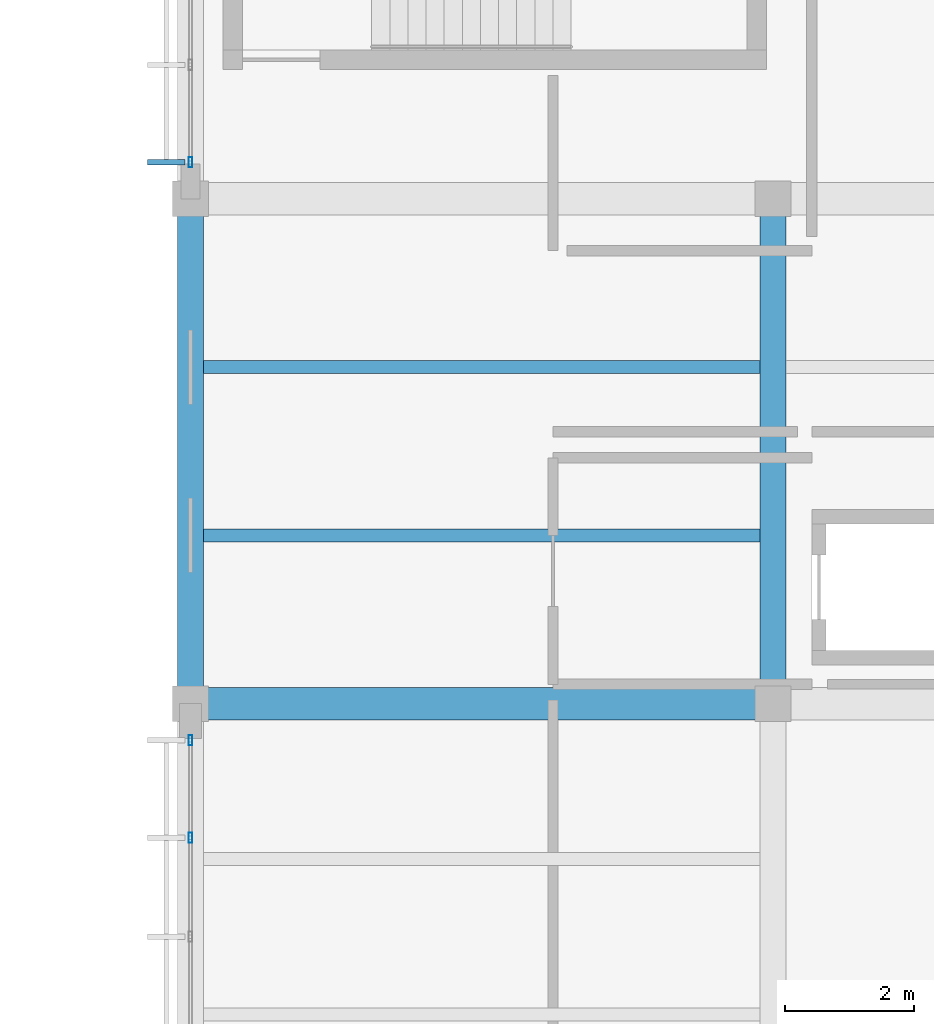
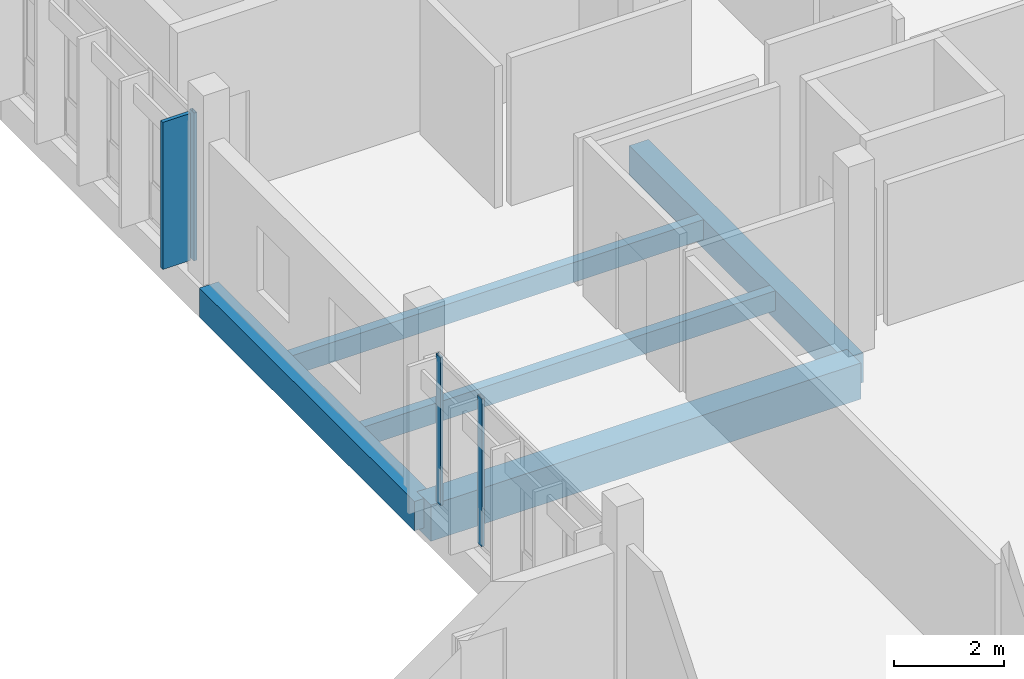
# One storey, part 56 of 94: 5 beams, 4 members, 2 elements without a shape of their own.
"""IFC4 building model written with IfcOpenShell, lengths in metres."""

from ifc_helpers import new_model, si_unit, direction, frame, origin, origin_2d, place, context, subcontext, project, spatial, rectangle, hollow_rectangle, extrude, material, material_profile, profile_set, type_object, element, aggregate, save


model = new_model("IFC4")

# Units and contexts
model_context = context("Model", 3, precision=1e-05, world=origin(), true_north=direction((0.0, 1.0)))
body_context = subcontext(model_context, "Body", "Model", "MODEL_VIEW")
ifc_project = project(units=[si_unit("LENGTHUNIT", "METRE"), si_unit("AREAUNIT", "SQUARE_METRE"), si_unit("VOLUMEUNIT", "CUBIC_METRE"), si_unit("PLANEANGLEUNIT", "RADIAN"), si_unit("MASSUNIT", "GRAM", prefix="KILO")], contexts=[model_context])

# Site, building, storey
site_placement = place(None, origin())
site = spatial("IfcSite", under=ifc_project, at=site_placement, CompositionType="ELEMENT")
building_placement = place(site_placement, origin())
building = spatial("IfcBuilding", under=site, at=building_placement, Name="Chiffa Square Polytechnic", CompositionType="ELEMENT")
storey_placement = place(building_placement, frame((0.0, 0.0, 18.0)))
storey = spatial("IfcBuildingStorey", under=building, at=storey_placement, Name="L04", CompositionType="ELEMENT", Elevation=18.0)

# Beams
ifc_material_1 = material(Name="Concrete C35/45", Category="concrete")
ifc_material_profile_1 = material_profile(ifc_material_1, rectangle(XDim=0.39990234375, YDim=0.64990234375, at=origin_2d()), Name="RC 400x650")
ifc_profile_set_1 = profile_set([ifc_material_profile_1], Name="Concrete C35/45")
beam_type_1 = type_object("IfcBeamType", Name="BM-RC-400X650", PredefinedType="BEAM", material=ifc_profile_set_1)
for number, where, z_axis, x_axis, name in (
    (1, (148.199951171875, 36.0, -0.56494140625), (0.0, 1.0, 0.0), (-1.0, 0.0, 0.0), "Primary floor girder BM-V1-L04-Y-1482-0360"),
    (2, (157.199951171875, 36.0, -0.56494140625), (0.0, 1.0, 0.0), (-1.0, 0.0, 0.0), "Primary floor girder BM-V1-L04-Y-1572-0360"),
):
    element("IfcBeam", number, at=place(storey_placement, frame(where, z_axis=z_axis, x_axis=x_axis)), inside=storey, type_object=beam_type_1, Name=name, PredefinedType="BEAM", context=body_context, shape_type="SweptSolid", body=[
        extrude(rectangle(XDim=0.39990234375, YDim=0.64990234375, at=origin_2d()), origin(), (0.0, 0.0, 1.0), 7.800048828125),
    ])
ifc_material_2 = material(Name="Concrete C40/50", Category="concrete")
ifc_material_profile_2 = material_profile(ifc_material_2, rectangle(XDim=0.5, YDim=0.800048828125, at=origin_2d()), Name="RC 500x800")
ifc_profile_set_2 = profile_set([ifc_material_profile_2], Name="Concrete C40/50")
beam_type_2 = type_object("IfcBeamType", Name="BM-RC-500X800", PredefinedType="BEAM", material=ifc_profile_set_2)
beam_placement = place(storey_placement, frame((148.199951171875, 36.0, -0.639892578125), z_axis=(1.0, 0.0, 0.0), x_axis=(0.0, 1.0, 0.0)))
element("IfcBeam", 3, at=beam_placement, inside=storey, type_object=beam_type_2, Name="Primary floor girder BM-V1-L04-X-1482-0360", PredefinedType="BEAM", context=body_context, shape_type="SweptSolid", body=[
    extrude(rectangle(XDim=0.5, YDim=0.800048828125, at=origin_2d()), origin(), (0.0, 0.0, 1.0), 9.0),
])

# Curtain wall, member
ifc_material_3 = material(Name="Aluminium EN AW-6060 T66 and glulam shading", Category="wood")
curtain_wall_type_1 = type_object("IfcCurtainWallType", Name="CW-VERT-450X440", PredefinedType="USERDEFINED", material=ifc_material_3)
curtain_wall_1_placement = place(storey_placement, origin())
curtain_wall_1 = element("IfcCurtainWall", 4, at=curtain_wall_1_placement, inside=storey, type_object=curtain_wall_type_1, Name="Curtain wall CW-V1-L04-136", ObjectType="CURTAIN WALL", PredefinedType="USERDEFINED")
ifc_material_4 = material(Name="Aluminium EN AW-6060 T66", Category="aluminium")
ifc_material_profile_3 = material_profile(ifc_material_4, hollow_rectangle(XDim=0.06005859375, YDim=0.159912109375, WallThickness=0.00390625, at=origin_2d()), Name="ALU 60x160x4")
ifc_profile_set_3 = profile_set([ifc_material_profile_3], Name="Aluminium EN AW-6060 T66")
member_type_1 = type_object("IfcMemberType", Name="CWM-ALU-65X150", PredefinedType="MULLION", material=ifc_profile_set_3)
member_1_placement = place(storey_placement, frame((148.199951171875, 44.364990234375, 0.0), z_axis=(0.0, 0.0, 1.0), x_axis=(1.0, 0.0, 0.0)))
member_1 = element("IfcMember", 5, at=member_1_placement, type_object=member_type_1, Name="Curtain wall mullion CW-V1-L04-136-M04", PredefinedType="MULLION", context=body_context, shape_type="SweptSolid", body=[
    extrude(hollow_rectangle(XDim=0.06005859375, YDim=0.159912109375, WallThickness=0.00390625, at=origin_2d()), origin(), (0.0, 0.0, 1.0), 3.27490234375),
])

# Curtain wall, members
curtain_wall_type_2 = type_object("IfcCurtainWallType", Name="CW-VERT-600X440", PredefinedType="USERDEFINED", material=ifc_material_3)
curtain_wall_2_placement = place(storey_placement, origin())
curtain_wall_2 = element("IfcCurtainWall", 6, at=curtain_wall_2_placement, inside=storey, type_object=curtain_wall_type_2, Name="Curtain wall CW-V1-L04-137", ObjectType="CURTAIN WALL", PredefinedType="USERDEFINED")
member_2_placement = place(storey_placement, frame((148.199951171875, 35.43505859375, 0.0), z_axis=(0.0, 0.0, 1.0), x_axis=(1.0, 0.0, 0.0)))
member_2 = element("IfcMember", 7, at=member_2_placement, type_object=member_type_1, Name="Curtain wall mullion CW-V1-L04-137-M00", PredefinedType="MULLION", context=body_context, shape_type="SweptSolid", body=[
    extrude(hollow_rectangle(XDim=0.06005859375, YDim=0.159912109375, WallThickness=0.00390625, at=origin_2d()), origin(), (0.0, 0.0, 1.0), 3.27490234375),
])
member_3_placement = place(storey_placement, frame((148.199951171875, 33.929931640625, 0.0), z_axis=(0.0, 0.0, 1.0), x_axis=(1.0, 0.0, 0.0)))
member_3 = element("IfcMember", 8, at=member_3_placement, type_object=member_type_1, Name="Curtain wall mullion CW-V1-L04-137-M01", PredefinedType="MULLION", context=body_context, shape_type="SweptSolid", body=[
    extrude(hollow_rectangle(XDim=0.06005859375, YDim=0.159912109375, WallThickness=0.00390625, at=origin_2d()), origin(), (0.0, 0.0, 1.0), 3.27490234375),
])
aggregate(curtain_wall_2, [member_2, member_3])

# Member
ifc_material_5 = material(Name="Glulam GL28h", Category="wood")
ifc_material_profile_4 = material_profile(ifc_material_5, rectangle(XDim=0.080078125, YDim=0.580078125, at=origin_2d()), Name="GL28h 80x580")
ifc_profile_set_4 = profile_set([ifc_material_profile_4], Name="Glulam GL28h")
member_type_2 = type_object("IfcMemberType", Name="CWM-GL-80X580", PredefinedType="MULLION", material=ifc_profile_set_4)
member_4_placement = place(storey_placement, frame((147.827880859375, 44.364990234375, 0.010009765625), z_axis=(0.0, 0.0, 1.0), x_axis=(0.0, -1.0, 0.0)))
member_4 = element("IfcMember", 9, at=member_4_placement, type_object=member_type_2, Name="Exterior glulam solar fin CW-V1-L04-136-FN04", PredefinedType="MULLION", context=body_context, shape_type="SweptSolid", body=[
    extrude(rectangle(XDim=0.080078125, YDim=0.580078125, at=origin_2d()), origin(), (0.0, 0.0, 1.0), 3.2548828125),
])

aggregate(curtain_wall_1, [member_1, member_4])

# Beams
ifc_material_profile_5 = material_profile(ifc_material_5, rectangle(XDim=0.199951171875, YDim=0.43994140625, at=origin_2d()), Name="GL28h 200x440")
ifc_profile_set_5 = profile_set([ifc_material_profile_5], Name="Glulam GL28h")
beam_type_3 = type_object("IfcBeamType", Name="JST-GL-200X440", PredefinedType="JOIST", material=ifc_profile_set_5)
for number, where, z_axis, x_axis, name in (
    (10, (148.39794921875, 38.60009765625, -0.4599609375), (1.0, 0.0, 0.0), (0.0, 1.0, 0.0), "Secondary floor joist JST-V1-L04-1482-0386"),
    (11, (148.39794921875, 41.199951171875, -0.4599609375), (1.0, 0.0, 0.0), (0.0, 1.0, 0.0), "Secondary floor joist JST-V1-L04-1482-0412"),
):
    element("IfcBeam", number, at=place(storey_placement, frame(where, z_axis=z_axis, x_axis=x_axis)), inside=storey, type_object=beam_type_3, Name=name, PredefinedType="JOIST", context=body_context, shape_type="SweptSolid", body=[
        extrude(rectangle(XDim=0.199951171875, YDim=0.43994140625, at=origin_2d()), origin(), (0.0, 0.0, 1.0), 8.60400390625),
    ])

save(model, "model.ifc")
